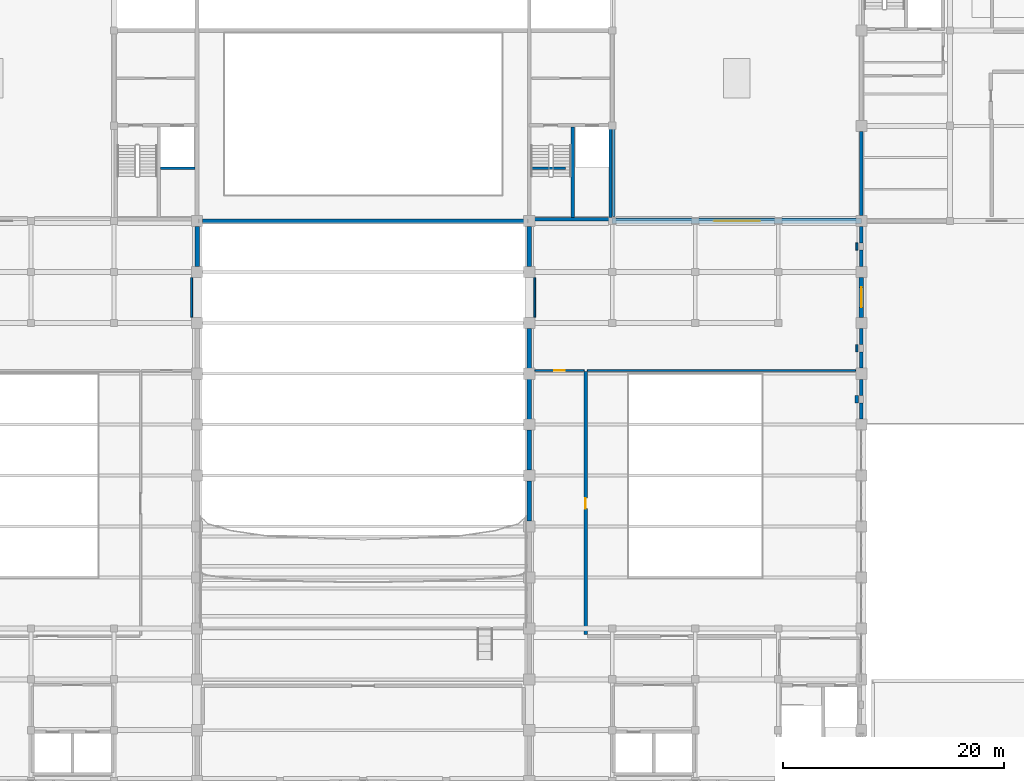
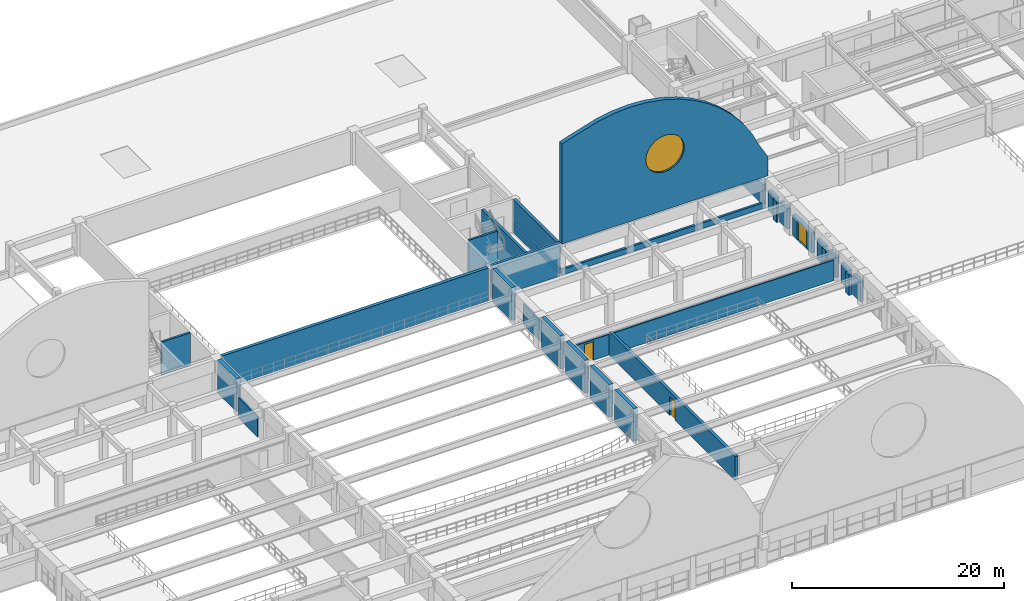
# One storey, part 58 of 74: 31 walls, 3 doors, 1 window, 4 openings.
"""IFC4 building model written with IfcOpenShell, lengths in metres."""

from ifc_helpers import new_model, si_unit, direction, frame, frame_2d, origin, place, context, subcontext, project, spatial, polyline, rectangle, outline, extrude, material, layer, layer_set, type_object, element, fill, save


model = new_model("IFC4")

# Units and contexts
model_context = context("Model", 3, precision=1e-05, world=origin(), true_north=direction((0.0, 1.0)))
body_context = subcontext(model_context, "Body", "Model", "MODEL_VIEW")
ifc_project = project(units=[si_unit("LENGTHUNIT", "METRE"), si_unit("AREAUNIT", "SQUARE_METRE"), si_unit("VOLUMEUNIT", "CUBIC_METRE"), si_unit("PLANEANGLEUNIT", "RADIAN"), si_unit("MASSUNIT", "GRAM", prefix="KILO")], contexts=[model_context])

# Site, building, storey
site_placement = place(None, origin())
site = spatial("IfcSite", under=ifc_project, at=site_placement, CompositionType="ELEMENT")
building_placement = place(site_placement, origin())
building = spatial("IfcBuilding", under=site, at=building_placement, Name="Muzn Square Opera House", CompositionType="ELEMENT")
storey_placement = place(building_placement, frame((0.0, 0.0, 14.199951171875)))
storey = spatial("IfcBuildingStorey", under=building, at=storey_placement, Name="L03", CompositionType="ELEMENT", Elevation=14.199951171875)

# Wall, opening, door
ifc_material_1 = material(Name="Acoustic gypsum stud partition", Category="gypsum")
ifc_layer_1 = layer(ifc_material_1, 0.320068359375, Name="Acoustic gypsum stud partition", Category="gypsum")
ifc_layer_set_1 = layer_set([ifc_layer_1], Name="Acoustic gypsum stud partition")
wall_type_1 = type_object("IfcWallType", Name="Acoustic Studio Double Wall 320mm", PredefinedType="PARTITIONING", material=ifc_layer_set_1)
wall_1_placement = place(storey_placement, frame((108.10009765625, 35.2451171875, 0.0), z_axis=(0.0, 0.0, 1.0), x_axis=(0.0, 1.0, 0.0)))
wall_1 = element("IfcWall", 1, at=wall_1_placement, inside=storey, type_object=wall_type_1, Name="Interior Partition PW-L03-0355", PredefinedType="PARTITIONING", context=body_context, shape_type="SweptSolid", body=[
    extrude(rectangle(XDim=23.7548828125, YDim=0.320068359375, at=frame_2d((11.87744140625, 0.0))), origin(), (0.0, 0.0, 1.0), 2.699951171875),
])
opening_1_placement = place(wall_1_placement, frame((11.3798828125, 0.0, 0.0)))
opening_1 = element("IfcOpeningElement", 2, at=opening_1_placement, cuts=wall_1, Name="Opening DR-OF95", PredefinedType="OPENING", context=body_context, shape_type="SweptSolid", body=[
    extrude(rectangle(XDim=0.949951171875, YDim=2.14990234375, at=frame_2d((0.47509765625, 1.074951171875))), frame((0.0, 0.169921875, 0.0), z_axis=(0.0, -1.0, 0.0), x_axis=(1.0, 0.0, 0.0)), (0.0, 0.0, 1.0), 0.340087890625),
])
ifc_material_2 = material(Name="Acoustic hardwood leaf", Category="wood")
door_type_1 = type_object("IfcDoorType", Name="Office Room Door 950x2150", OperationType="NOTDEFINED", PredefinedType="DOOR", material=ifc_material_2)
door_1_placement = place(opening_1_placement, origin())
door_1 = element("IfcDoor", 3, at=door_1_placement, inside=storey, type_object=door_type_1, Name="Stage Production Design Studio Door DR-L03-0102", OperationType="SINGLE_SWING_RIGHT", OverallHeight=2.14990234375, OverallWidth=0.949951171875, PredefinedType="DOOR", context=body_context, shape_type="SweptSolid", body=[
    extrude(rectangle(XDim=0.949951171875, YDim=2.14990234375, at=frame_2d((0.47509765625, 1.074951171875))), frame((0.0, 0.02490234375, 0.0), z_axis=(0.0, -1.0, 0.0), x_axis=(1.0, 0.0, 0.0)), (0.0, 0.0, 1.0), 0.050048828125),
])
fill(opening_1, door_1)

# Walls
wall_2_placement = place(storey_placement, frame((132.60009765625, 56.175048828125, 0.0), z_axis=(0.0, 0.0, 1.0), x_axis=(0.0, 1.0, 0.0)))
element("IfcWall", 4, at=wall_2_placement, inside=storey, type_object=wall_type_1, Name="Room Enclosure Partition PW-L03-0381", PredefinedType="PARTITIONING", context=body_context, shape_type="SweptSolid", body=[
    extrude(rectangle(XDim=0.64990234375, YDim=0.320068359375, at=frame_2d((0.324951171875, 0.0))), origin(), (0.0, 0.0, 1.0), 2.380126953125),
])
ifc_material_3 = material(Name="Concrete C45/55", Category="concrete")
ifc_layer_2 = layer(ifc_material_3, 0.419921875, Name="Concrete C45/55", Category="concrete")
ifc_layer_set_2 = layer_set([ifc_layer_2], Name="Concrete C45/55")
wall_type_2 = type_object("IfcWallType", Name="Auditorium Acoustic Shear Wall 420mm", PredefinedType="SHEAR", material=ifc_layer_set_2)
wall_3_placement = place(storey_placement, frame((103.0, 45.489990234375, 0.0), z_axis=(0.0, 0.0, 1.0), x_axis=(0.0, 1.0, 0.0)))
element("IfcWall", 5, at=wall_3_placement, inside=storey, type_object=wall_type_2, Name="Auditorium Acoustic Shear Wall AUDW-L03-E05", PredefinedType="SHEAR", context=body_context, shape_type="SweptSolid", body=[
    extrude(rectangle(XDim=3.6201171875, YDim=0.419921875, at=frame_2d((1.81005859375, 0.0))), origin(), (0.0, 0.0, 1.0), 3.800048828125),
])
wall_4_placement = place(storey_placement, frame((103.0, 50.090087890625, 0.0), z_axis=(0.0, 0.0, 1.0), x_axis=(0.0, 1.0, 0.0)))
element("IfcWall", 6, at=wall_4_placement, inside=storey, type_object=wall_type_2, Name="Auditorium Acoustic Shear Wall AUDW-L03-E06", PredefinedType="SHEAR", context=body_context, shape_type="SweptSolid", body=[
    extrude(rectangle(XDim=3.619873046875, YDim=0.419921875, at=frame_2d((1.81005859375, 0.0))), origin(), (0.0, 0.0, 1.0), 3.800048828125),
])
wall_5_placement = place(storey_placement, frame((103.0, 54.68994140625, 0.0), z_axis=(0.0, 0.0, 1.0), x_axis=(0.0, 1.0, 0.0)))
element("IfcWall", 7, at=wall_5_placement, inside=storey, type_object=wall_type_2, Name="Auditorium Acoustic Shear Wall AUDW-L03-E07", PredefinedType="SHEAR", context=body_context, shape_type="SweptSolid", body=[
    extrude(rectangle(XDim=3.6201171875, YDim=0.419921875, at=frame_2d((1.81005859375, 0.0))), origin(), (0.0, 0.0, 1.0), 3.800048828125),
])
wall_6_placement = place(storey_placement, frame((103.0, 59.2900390625, 0.0), z_axis=(0.0, 0.0, 1.0), x_axis=(0.0, 1.0, 0.0)))
element("IfcWall", 8, at=wall_6_placement, inside=storey, type_object=wall_type_2, Name="Auditorium Acoustic Shear Wall AUDW-L03-E08", PredefinedType="SHEAR", context=body_context, shape_type="SweptSolid", body=[
    extrude(rectangle(XDim=3.619873046875, YDim=0.419921875, at=frame_2d((1.81005859375, 0.0))), origin(), (0.0, 0.0, 1.0), 3.800048828125),
])
for number, where, z_axis, x_axis, name in (
    (9, (73.0, 68.489990234375, 0.0), (0.0, 0.0, 1.0), (0.0, 1.0, 0.0), "Auditorium Acoustic Shear Wall AUDW-L03-W10"),
    (10, (103.0, 68.489990234375, 0.0), (0.0, 0.0, 1.0), (0.0, 1.0, 0.0), "Auditorium Acoustic Shear Wall AUDW-L03-E10"),
):
    element("IfcWall", number, at=place(storey_placement, frame(where, z_axis=z_axis, x_axis=x_axis)), inside=storey, type_object=wall_type_2, Name=name, PredefinedType="SHEAR", context=body_context, shape_type="SweptSolid", body=[
        extrude(rectangle(XDim=3.6201171875, YDim=0.419921875, at=frame_2d((1.81005859375, 0.0))), origin(), (0.0, 0.0, 1.0), 3.800048828125),
    ])
ifc_layer_3 = layer(ifc_material_3, 0.300048828125, Name="Concrete C45/55", Category="concrete")
ifc_layer_set_3 = layer_set([ifc_layer_3], Name="Concrete C45/55")
wall_type_3 = type_object("IfcWallType", Name="Core Shear Wall 300mm", PredefinedType="SHEAR", material=ifc_layer_set_3)
wall_7_placement = place(storey_placement, frame((103.0, 72.75, 0.0), z_axis=(0.0, 0.0, 1.0), x_axis=(1.0, 0.0, 0.0)))
element("IfcWall", 11, at=wall_7_placement, inside=storey, type_object=wall_type_3, Name="Core C2 Shear Wall SW-C2-L03-S", PredefinedType="SHEAR", context=body_context, shape_type="SweptSolid", body=[
    extrude(rectangle(XDim=7.5, YDim=0.300048828125, at=frame_2d((3.75, 0.0))), origin(), (0.0, 0.0, 1.0), 3.800048828125),
])
for number, where, z_axis, x_axis, name in (
    (12, (110.35009765625, 72.89990234375, 0.0), (0.0, 0.0, 1.0), (0.0, 1.0, 0.0), "Core C2 Shear Wall SW-C2-L03-E"),
    (13, (106.919921875, 72.89990234375, 0.0), (0.0, 0.0, 1.0), (0.0, 1.0, 0.0), "Core C2 Shear Wall SW-C2-L03-DIV"),
):
    element("IfcWall", number, at=place(storey_placement, frame(where, z_axis=z_axis, x_axis=x_axis)), inside=storey, type_object=wall_type_3, Name=name, PredefinedType="SHEAR", context=body_context, shape_type="SweptSolid", body=[
        extrude(rectangle(XDim=8.2001953125, YDim=0.300048828125, at=frame_2d((4.10009765625, 0.0))), origin(), (0.0, 0.0, 1.0), 3.800048828125),
    ])
ifc_material_4 = material(Name="Concrete C40/50", Category="concrete")
ifc_layer_4 = layer(ifc_material_4, 0.340087890625, Name="Concrete C40/50", Category="concrete")
ifc_layer_set_4 = layer_set([ifc_layer_4], Name="Concrete C40/50")
wall_type_4 = type_object("IfcWallType", Name="Exterior Insulated Spandrel Wall 340mm", PredefinedType="SOLIDWALL", material=ifc_layer_set_4)
for number, where, z_axis, x_axis, name in (
    (14, (133.0, 54.699951171875, 0.0), (0.0, 0.0, 1.0), (0.0, 1.0, 0.0), "Exterior Facade Wall EW-L03-235"),
    (15, (133.0, 56.824951171875, 0.0), (0.0, 0.0, 1.0), (0.0, 1.0, 0.0), "Exterior Facade Wall EW-L03-236"),
):
    element("IfcWall", number, at=place(storey_placement, frame(where, z_axis=z_axis, x_axis=x_axis)), inside=storey, type_object=wall_type_4, Name=name, PredefinedType="SOLIDWALL", context=body_context, shape_type="SweptSolid", body=[
        extrude(rectangle(XDim=1.47509765625, YDim=0.340087890625, at=frame_2d((0.737548828125, 0.0))), origin(), (0.0, 0.0, 1.0), 2.35009765625),
    ])
for number, where, z_axis, x_axis, name in (
    (16, (133.0, 59.300048828125, 0.0), (0.0, 0.0, 1.0), (0.0, 1.0, 0.0), "Exterior Facade Wall EW-L03-237"),
    (17, (133.0, 61.425048828125, 0.0), (0.0, 0.0, 1.0), (0.0, 1.0, 0.0), "Exterior Facade Wall EW-L03-238"),
):
    element("IfcWall", number, at=place(storey_placement, frame(where, z_axis=z_axis, x_axis=x_axis)), inside=storey, type_object=wall_type_4, Name=name, PredefinedType="SOLIDWALL", context=body_context, shape_type="SweptSolid", body=[
        extrude(rectangle(XDim=1.474853515625, YDim=0.340087890625, at=frame_2d((0.7373046875, 0.0))), origin(), (0.0, 0.0, 1.0), 2.35009765625),
    ])
for number, where, z_axis, x_axis, name in (
    (18, (133.0, 68.5, 0.0), (0.0, 0.0, 1.0), (0.0, 1.0, 0.0), "Exterior Facade Wall EW-L03-239"),
    (19, (133.0, 70.625, 0.0), (0.0, 0.0, 1.0), (0.0, 1.0, 0.0), "Exterior Facade Wall EW-L03-240"),
):
    element("IfcWall", number, at=place(storey_placement, frame(where, z_axis=z_axis, x_axis=x_axis)), inside=storey, type_object=wall_type_4, Name=name, PredefinedType="SOLIDWALL", context=body_context, shape_type="SweptSolid", body=[
        extrude(rectangle(XDim=1.47509765625, YDim=0.340087890625, at=frame_2d((0.737548828125, 0.0))), origin(), (0.0, 0.0, 1.0), 2.35009765625),
    ])
wall_8_placement = place(storey_placement, frame((133.0, 73.10009765625, 0.0), z_axis=(0.0, 0.0, 1.0), x_axis=(0.0, 1.0, 0.0)))
element("IfcWall", 20, at=wall_8_placement, inside=storey, type_object=wall_type_4, Name="Exterior Facade Wall EW-L03-246", PredefinedType="SOLIDWALL", context=body_context, shape_type="SweptSolid", body=[
    extrude(rectangle(XDim=7.599853515625, YDim=0.340087890625, at=frame_2d((3.7998046875, 0.0))), origin(), (0.0, 0.0, 1.0), 2.35009765625),
])

# Wall, opening, door
ifc_layer_5 = layer(ifc_material_4, 0.3798828125, Name="Concrete C40/50", Category="concrete")
ifc_layer_set_5 = layer_set([ifc_layer_5], Name="Concrete C40/50")
wall_type_5 = type_object("IfcWallType", Name="Exterior Limestone Wall 380mm", PredefinedType="SOLIDWALL", material=ifc_layer_set_5)
wall_9_placement = place(storey_placement, frame((133.0, 63.89990234375, 0.0), z_axis=(0.0, 0.0, 1.0), x_axis=(0.0, 1.0, 0.0)))
wall_9 = element("IfcWall", 21, at=wall_9_placement, inside=storey, type_object=wall_type_5, Name="Exterior Facade Wall EW-L03-104", PredefinedType="SOLIDWALL", context=body_context, shape_type="SweptSolid", body=[
    extrude(rectangle(XDim=3.60009765625, YDim=0.3798828125, at=frame_2d((1.800048828125, 0.0))), origin(), (0.0, 0.0, 1.0), 2.35009765625),
])
opening_2_placement = place(wall_9_placement, frame((2.699951171875, 0.0, 0.0), z_axis=(0.0, 0.0, 1.0), x_axis=(-1.0, 0.0, 0.0)))
opening_2 = element("IfcOpeningElement", 22, at=opening_2_placement, cuts=wall_9, Name="Opening DR-TR18L", PredefinedType="OPENING", context=body_context, shape_type="SweptSolid", body=[
    extrude(rectangle(XDim=1.800048828125, YDim=2.199951171875, at=frame_2d((0.89990234375, 1.10009765625))), frame((0.0, 0.199951171875, 0.0), z_axis=(0.0, -1.0, 0.0), x_axis=(1.0, 0.0, 0.0)), (0.0, 0.0, 1.0), 0.39990234375),
])
ifc_material_5 = material(Name="Anodised bronze aluminium", Category="metal")
door_type_2 = type_object("IfcDoorType", Name="Terrace Compact Glazed Door 1800x2200", OperationType="DOUBLE_DOOR_SINGLE_SWING", PredefinedType="DOOR", material=ifc_material_5)
door_2_placement = place(opening_2_placement, origin())
door_2 = element("IfcDoor", 23, at=door_2_placement, inside=storey, type_object=door_type_2, Name="East Sunset Terrace Access Door D-TR301", OperationType="DOUBLE_DOOR_SINGLE_SWING", OverallHeight=2.199951171875, OverallWidth=1.800048828125, PredefinedType="DOOR", context=body_context, shape_type="SweptSolid", body=[
    extrude(rectangle(XDim=1.800048828125, YDim=2.199951171875, at=frame_2d((0.89990234375, 1.10009765625))), frame((0.0, 0.02490234375, 0.0), z_axis=(0.0, -1.0, 0.0), x_axis=(1.0, 0.0, 0.0)), (0.0, 0.0, 1.0), 0.050048828125),
])
fill(opening_2, door_2)

# Wall
ifc_layer_6 = layer(ifc_material_3, 0.35009765625, Name="Concrete C45/55", Category="concrete")
ifc_layer_set_6 = layer_set([ifc_layer_6], Name="Concrete C45/55")
wall_type_6 = type_object("IfcWallType", Name="Fly Tower Shear Wall 350mm", PredefinedType="SHEAR", material=ifc_layer_set_6)
wall_10_placement = place(storey_placement, frame((73.489990234375, 72.60009765625, 0.0), z_axis=(0.0, 0.0, 1.0), x_axis=(1.0, 0.0, 0.0)))
element("IfcWall", 24, at=wall_10_placement, inside=storey, type_object=wall_type_6, Name="Fly Tower Shear Wall FTW-L03-S", PredefinedType="SHEAR", context=body_context, shape_type="SweptSolid", body=[
    extrude(rectangle(XDim=29.02001953125, YDim=0.35009765625, at=frame_2d((14.510009765625, 0.0))), origin(), (0.0, 0.0, 1.0), 3.800048828125),
])

# Wall, opening, door
ifc_layer_7 = layer(ifc_material_1, 0.169921875, Name="Acoustic gypsum stud partition", Category="gypsum")
ifc_layer_set_7 = layer_set([ifc_layer_7], Name="Acoustic gypsum stud partition")
wall_type_7 = type_object("IfcWallType", Name="Gallery Partition 170mm", PredefinedType="PARTITIONING", material=ifc_layer_set_7)
wall_11_placement = place(storey_placement, frame((103.5, 59.10009765625, 0.0), z_axis=(0.0, 0.0, 1.0), x_axis=(1.0, 0.0, 0.0)))
wall_11 = element("IfcWall", 25, at=wall_11_placement, inside=storey, type_object=wall_type_7, Name="Interior Partition PW-L03-0349", PredefinedType="PARTITIONING", context=body_context, shape_type="SweptSolid", body=[
    extrude(rectangle(XDim=4.455078125, YDim=0.169921875, at=frame_2d((2.2275390625, 0.0))), origin(), (0.0, 0.0, 1.0), 2.380126953125),
])
opening_3_placement = place(wall_11_placement, frame((1.77490234375, 0.0, 0.0)))
opening_3 = element("IfcOpeningElement", 26, at=opening_3_placement, cuts=wall_11, Name="Opening DR-OF95", PredefinedType="OPENING", context=body_context, shape_type="SweptSolid", body=[
    extrude(rectangle(XDim=0.949951171875, YDim=2.14990234375, at=frame_2d((0.47509765625, 1.074951171875))), frame((0.0, 0.094970703125, 0.0), z_axis=(0.0, -1.0, 0.0), x_axis=(1.0, 0.0, 0.0)), (0.0, 0.0, 1.0), 0.18994140625),
])
door_3_placement = place(opening_3_placement, origin())
door_3 = element("IfcDoor", 27, at=door_3_placement, inside=storey, type_object=door_type_1, Name="East Vaulted Acoustic Gallery Door DR-L03-0098", OperationType="SINGLE_SWING_LEFT", OverallHeight=2.14990234375, OverallWidth=0.949951171875, PredefinedType="DOOR", context=body_context, shape_type="SweptSolid", body=[
    extrude(rectangle(XDim=0.949951171875, YDim=2.14990234375, at=frame_2d((0.47509765625, 1.074951171875))), frame((0.0, 0.02490234375, 0.0), z_axis=(0.0, -1.0, 0.0), x_axis=(1.0, 0.0, 0.0)), (0.0, 0.0, 1.0), 0.050048828125),
])
fill(opening_3, door_3)

# Walls
for number, where, z_axis, x_axis, name in (
    (28, (72.5, 63.919921875, 0.0), (0.0, 0.0, 1.0), (0.0, 1.0, 0.0), "Room Enclosure Partition PW-L03-0376"),
    (29, (103.5, 63.919921875, 0.0), (0.0, 0.0, 1.0), (0.0, 1.0, 0.0), "Room Enclosure Partition PW-L03-0377"),
):
    element("IfcWall", number, at=place(storey_placement, frame(where, z_axis=z_axis, x_axis=x_axis)), inside=storey, type_object=wall_type_7, Name=name, PredefinedType="PARTITIONING", context=body_context, shape_type="SweptSolid", body=[
        extrude(rectangle(XDim=3.56005859375, YDim=0.169921875, at=frame_2d((1.780029296875, 0.0))), origin(), (0.0, 0.0, 1.0), 2.380126953125),
    ])
wall_12_placement = place(storey_placement, frame((132.60009765625, 60.77490234375, 0.0), z_axis=(0.0, 0.0, 1.0), x_axis=(0.0, 1.0, 0.0)))
element("IfcWall", 30, at=wall_12_placement, inside=storey, type_object=wall_type_7, Name="Room Enclosure Partition PW-L03-0378", PredefinedType="PARTITIONING", context=body_context, shape_type="SweptSolid", body=[
    extrude(rectangle(XDim=0.650146484375, YDim=0.169921875, at=frame_2d((0.3251953125, 0.0))), origin(), (0.0, 0.0, 1.0), 2.380126953125),
])
wall_13_placement = place(storey_placement, frame((132.60009765625, 69.97509765625, 0.0), z_axis=(0.0, 0.0, 1.0), x_axis=(0.0, 1.0, 0.0)))
element("IfcWall", 31, at=wall_13_placement, inside=storey, type_object=wall_type_7, Name="Room Enclosure Partition PW-L03-0379", PredefinedType="PARTITIONING", context=body_context, shape_type="SweptSolid", body=[
    extrude(rectangle(XDim=0.64990234375, YDim=0.169921875, at=frame_2d((0.324951171875, 0.0))), origin(), (0.0, 0.0, 1.0), 2.380126953125),
])
wall_14_placement = place(storey_placement, frame((108.2451171875, 59.10009765625, 0.0), z_axis=(0.0, 0.0, 1.0), x_axis=(1.0, 0.0, 0.0)))
element("IfcWall", 32, at=wall_14_placement, inside=storey, type_object=wall_type_7, Name="Interior Partition PW-L03-0348", PredefinedType="PARTITIONING", context=body_context, shape_type="SweptSolid", body=[
    extrude(rectangle(XDim=24.23486328125, YDim=0.169921875, at=frame_2d((12.117431640625, 0.0))), origin(), (0.0, 0.0, 1.0), 2.380126953125),
])
ifc_layer_8 = layer(ifc_material_4, 0.219970703125, Name="Concrete C40/50", Category="concrete")
ifc_layer_set_8 = layer_set([ifc_layer_8], Name="Concrete C40/50")
wall_type_8 = type_object("IfcWallType", Name="Lift Lobby Wall 220mm", PredefinedType="SOLIDWALL", material=ifc_layer_set_8)
for number, where, z_axis, x_axis, name in (
    (33, (69.699951171875, 77.3798828125, 0.0), (0.0, 0.0, 1.0), (1.0, 0.0, 0.0), "Core C1 Lift Shaft South Wall L03"),
    (34, (103.179931640625, 77.3798828125, 0.0), (0.0, 0.0, 1.0), (1.0, 0.0, 0.0), "Core C2 Lift Shaft South Wall L03"),
):
    element("IfcWall", number, at=place(storey_placement, frame(where, z_axis=z_axis, x_axis=x_axis)), inside=storey, type_object=wall_type_8, Name=name, PredefinedType="SOLIDWALL", context=body_context, shape_type="SweptSolid", body=[
        extrude(rectangle(XDim=3.1201171875, YDim=0.219970703125, at=frame_2d((1.56005859375, 0.0))), origin(), (0.0, 0.0, 1.0), 3.800048828125),
    ])
ifc_material_6 = material(Name="Precast concrete C40/50", Category="concrete")
ifc_layer_9 = layer(ifc_material_6, 0.239990234375, Name="Precast concrete C40/50", Category="concrete")
ifc_layer_set_9 = layer_set([ifc_layer_9], Name="Precast concrete C40/50")
wall_type_9 = type_object("IfcWallType", Name="Roof Parapet Wall 240mm", PredefinedType="PARAPET", material=ifc_layer_set_9)
wall_15_placement = place(storey_placement, frame((110.64990234375, 72.75, 0.0), z_axis=(0.0, 0.0, 1.0), x_axis=(1.0, 0.0, 0.0)))
element("IfcWall", 35, at=wall_15_placement, inside=storey, type_object=wall_type_9, Name="Roof Parapet ROOF-L03-SIDEE-S", PredefinedType="PARAPET", context=body_context, shape_type="SweptSolid", body=[
    extrude(rectangle(XDim=22.2001953125, YDim=0.239990234375, at=frame_2d((11.10009765625, 0.0))), origin(), (0.0, 0.0, 1.0), 0.650146484375),
])
wall_16_placement = place(storey_placement, frame((110.64990234375, 73.0, 0.0), z_axis=(0.0, 0.0, 1.0), x_axis=(0.0, 1.0, 0.0)))
element("IfcWall", 36, at=wall_16_placement, inside=storey, type_object=wall_type_9, Name="Roof Parapet ROOF-L03-SIDEE-W", PredefinedType="PARAPET", context=body_context, shape_type="SweptSolid", body=[
    extrude(rectangle(XDim=8.5048828125, YDim=0.239990234375, at=frame_2d((4.25244140625, 0.0))), origin(), (0.0, 0.0, 1.0), 0.650146484375),
])

# Wall, opening, window
ifc_layer_10 = layer(ifc_material_6, 0.4599609375, Name="Precast concrete C40/50", Category="concrete")
ifc_layer_set_10 = layer_set([ifc_layer_10], Name="Precast concrete C40/50")
wall_type_10 = type_object("IfcWallType", Name="Semicircular Pale Render Gable Wall 460mm", PredefinedType="SOLIDWALL", material=ifc_layer_set_10)
wall_17_placement = place(storey_placement, frame((110.5, 72.60009765625, 3.800048828125), z_axis=(0.0, 0.0, 1.0), x_axis=(1.0, 0.0, 0.0)))
wall_17 = element("IfcWall", 37, at=wall_17_placement, inside=storey, type_object=wall_type_10, Name="North Semicircular Pale Render Gable East Foyer Barrel Vault", PredefinedType="SOLIDWALL", context=body_context, shape_type="SweptSolid", body=[
    extrude(outline(polyline([(0.0, 0.0), (22.4951171875, 0.0), (22.4951171875, 2.177490234375), (21.51708984375, 3.859375), (20.732177734375, 5.460205078125), (19.765380859375, 6.958251953125), (18.629638671875, 8.332763671875), (17.3408203125, 9.564697265625), (15.91650390625, 10.637451171875), (14.376708984375, 11.535888671875), (12.741943359375, 12.247802734375), (11.035400390625, 12.763427734375), (9.27978515625, 13.07568359375), (7.5, 13.179931640625), (5.72021484375, 13.07568359375), (3.964599609375, 12.763427734375), (2.258056640625, 12.247802734375), (0.0, 11.535888671875), (0.0, 0.0)])), frame((0.0, 0.22998046875, 0.0), z_axis=(0.0, -1.0, 0.0), x_axis=(1.0, 0.0, 0.0)), (0.0, 0.0, 1.0), 0.4599609375),
])
opening_4_placement = place(wall_17_placement, frame((9.1474609375, 0.0, 4.39990234375)))
opening_4 = element("IfcOpeningElement", 38, at=opening_4_placement, cuts=wall_17, Name="Opening WN-OC42", PredefinedType="OPENING", context=body_context, shape_type="SweptSolid", body=[
    extrude(outline(polyline([(4.199951171875, 2.10009765625), (4.12841796875, 2.6435546875), (3.918701171875, 3.14990234375), (3.5849609375, 3.5849609375), (3.14990234375, 3.918701171875), (2.6435546875, 4.12841796875), (2.10009765625, 4.199951171875), (1.556396484375, 4.12841796875), (1.050048828125, 3.918701171875), (0.614990234375, 3.5849609375), (0.28125, 3.14990234375), (0.071533203125, 2.6435546875), (0.0, 2.10009765625), (0.071533203125, 1.556396484375), (0.28125, 1.050048828125), (0.614990234375, 0.614990234375), (1.050048828125, 0.28125), (1.556396484375, 0.071533203125), (2.099853515625, 0.0), (2.6435546875, 0.071533203125), (3.14990234375, 0.28125), (3.5849609375, 0.614990234375), (3.918701171875, 1.050048828125), (4.12841796875, 1.556396484375), (4.199951171875, 2.10009765625)])), frame((0.0, 0.239990234375, 0.0), z_axis=(0.0, -1.0, 0.0), x_axis=(1.0, 0.0, 0.0)), (0.0, 0.0, 1.0), 0.47998046875),
])
ifc_material_7 = material(Name="Low-E laminated acoustic double glazing", Category="glass")
window_type = type_object("IfcWindowType", Name="North Gable Oculus Window D4200", PartitioningType="SINGLE_PANEL", PredefinedType="WINDOW", material=ifc_material_7)
window_placement = place(opening_4_placement, origin())
window = element("IfcWindow", 39, at=window_placement, inside=storey, type_object=window_type, Name="North Gable Round Oculus Window V3", OverallHeight=4.199951171875, OverallWidth=4.199951171875, PartitioningType="SINGLE_PANEL", PredefinedType="WINDOW", context=body_context, shape_type="SweptSolid", body=[
    extrude(outline(polyline([(4.199951171875, 2.10009765625), (4.12841796875, 2.6435546875), (3.918701171875, 3.14990234375), (3.5849609375, 3.5849609375), (3.14990234375, 3.918701171875), (2.6435546875, 4.12841796875), (2.10009765625, 4.199951171875), (1.556396484375, 4.12841796875), (1.050048828125, 3.918701171875), (0.614990234375, 3.5849609375), (0.28125, 3.14990234375), (0.071533203125, 2.6435546875), (0.0, 2.10009765625), (0.071533203125, 1.556396484375), (0.28125, 1.050048828125), (0.614990234375, 0.614990234375), (1.050048828125, 0.28125), (1.556396484375, 0.071533203125), (2.099853515625, 0.0), (2.6435546875, 0.071533203125), (3.14990234375, 0.28125), (3.5849609375, 0.614990234375), (3.918701171875, 1.050048828125), (4.12841796875, 1.556396484375), (4.199951171875, 2.10009765625)])), frame((0.0, 0.030029296875, 0.0), z_axis=(0.0, -1.0, 0.0), x_axis=(1.0, 0.0, 0.0)), (0.0, 0.0, 1.0), 0.06005859375),
])
fill(opening_4, window)

save(model, "model.ifc")
